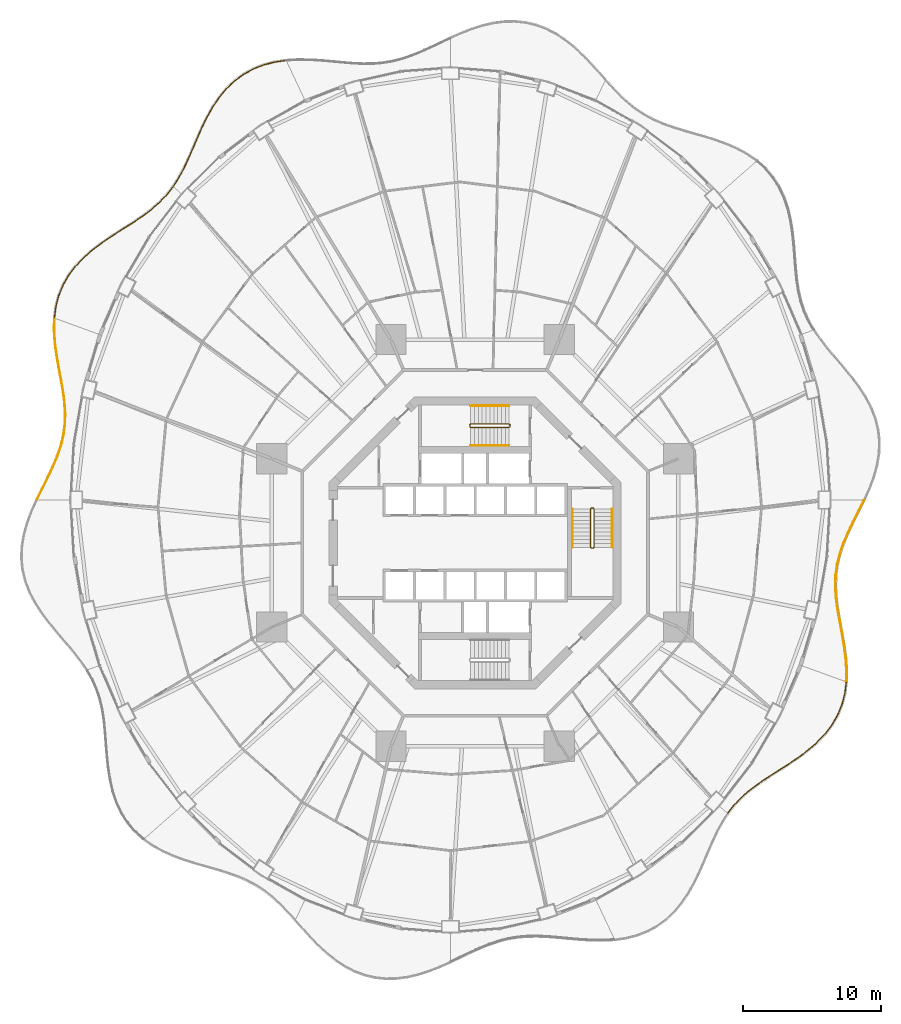
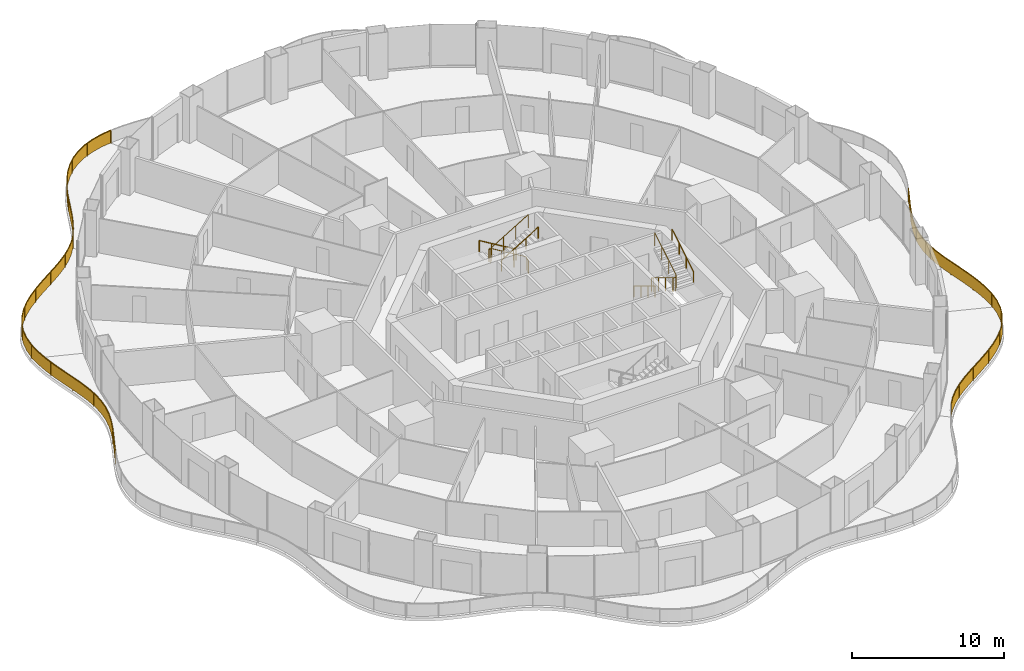
# One storey, part 21 of 22: 11 railings.
"""IFC4 building model written with IfcOpenShell, lengths in metres."""

from ifc_helpers import new_model, si_unit, direction, frame, origin, origin_2d, place, context, subcontext, project, spatial, polyline, rectangle, circle, outline, extrude, material, type_object, element, save


model = new_model("IFC4")

# Units and contexts
model_context = context("Model", 3, precision=1e-05, world=origin(), true_north=direction((0.0, 1.0)))
body_context = subcontext(model_context, "Body", "Model", "MODEL_VIEW")
ifc_project = project(units=[si_unit("LENGTHUNIT", "METRE"), si_unit("AREAUNIT", "SQUARE_METRE"), si_unit("VOLUMEUNIT", "CUBIC_METRE"), si_unit("PLANEANGLEUNIT", "RADIAN"), si_unit("MASSUNIT", "GRAM", prefix="KILO")], contexts=[model_context])

# Site, building, storey
site_placement = place(None, origin())
site = spatial("IfcSite", under=ifc_project, at=site_placement, CompositionType="ELEMENT")
building_placement = place(site_placement, origin())
building = spatial("IfcBuilding", under=site, at=building_placement, Name="Nagisa Residences", CompositionType="ELEMENT")
storey_placement = place(building_placement, frame((0.0, 0.0, 95.5)))
storey = spatial("IfcBuildingStorey", under=building, at=storey_placement, Name="L23", CompositionType="ELEMENT", Elevation=95.5)

# Railings
ifc_material_1 = material(Name="Stainless steel 316", Category="steel")
railing_type_1 = type_object("IfcRailingType", Name="BALCONY GUARD 1100", PredefinedType="BALUSTRADE", material=ifc_material_1)
railing_1_placement = place(storey_placement, frame((-13.779541015625, 35.077392578125, 0.0)))
element("IfcRailing", 1, at=railing_1_placement, inside=storey, type_object=railing_type_1, Name="guard:L23:bal05-0", PredefinedType="BALUSTRADE", context=body_context, shape_type="SweptSolid", body=[
    extrude(outline(polyline([(-0.78271484375, -0.138671875), (0.003662109375, -0.024658203125), (-0.003662109375, 0.024658203125), (-0.79248046875, -0.08935546875), (-1.598876953125, -0.2978515625), (-2.364501953125, -0.597900390625), (-3.079345703125, -0.9912109375), (-3.73486328125, -1.474853515625), (-4.318359375, -2.03515625), (-4.85107421875, -2.676025390625), (-5.32421875, -3.37548828125), (-5.744140625, -4.1171875), (-6.1201171875, -4.88427734375), (-6.452392578125, -5.648681640625), (-6.779296875, -6.415283203125), (-7.103515625, -7.159912109375), (-7.440185546875, -7.870361328125), (-7.80322265625, -8.5390625), (-8.181640625, -9.126953125), (-8.1396484375, -9.15380859375), (-7.76025390625, -8.564453125), (-7.395751953125, -7.892822265625), (-7.05810546875, -7.180419921875), (-6.7333984375, -6.435302734375), (-6.406494140625, -5.668701171875), (-6.07470703125, -4.9052734375), (-5.69970703125, -4.140625), (-5.28173828125, -3.40185546875), (-4.81103515625, -2.706298828125), (-4.28173828125, -2.0693359375), (-3.70263671875, -1.513427734375), (-3.052490234375, -1.03369140625), (-2.343017578125, -0.643310546875), (-1.583251953125, -0.345703125), (-0.78271484375, -0.138671875)])), frame((0.0, 0.0, 1.050048828125)), (0.0, 0.0, 1.0), 0.050048828125),
    extrude(outline(polyline([(-0.7861328125, -0.120849609375), (0.0009765625, -0.0068359375), (-0.0009765625, 0.0068359375), (-0.7890625, -0.107177734375), (-1.59326171875, -0.315185546875), (-2.356689453125, -0.6142578125), (-3.069580078125, -1.006591796875), (-3.723388671875, -1.48876953125), (-4.30517578125, -2.04736328125), (-4.836669921875, -2.68701171875), (-5.308837890625, -3.385009765625), (-5.72802734375, -4.125732421875), (-6.103759765625, -4.891845703125), (-6.435791015625, -5.656005859375), (-6.7626953125, -6.422607421875), (-7.087158203125, -7.167236328125), (-7.42431640625, -7.87841796875), (-7.787841796875, -8.548095703125), (-8.16650390625, -9.136474609375), (-8.15478515625, -9.144287109375), (-7.775634765625, -8.555419921875), (-7.41162109375, -7.884765625), (-7.074462890625, -7.173095703125), (-6.75, -6.427978515625), (-6.423095703125, -5.661376953125), (-6.091064453125, -4.897705078125), (-5.7158203125, -4.132080078125), (-5.297119140625, -3.392333984375), (-4.825439453125, -2.6953125), (-4.294921875, -2.05712890625), (-3.714111328125, -1.49951171875), (-3.062255859375, -1.018310546875), (-2.350830078125, -0.626953125), (-1.5888671875, -0.328369140625), (-0.7861328125, -0.120849609375)])), frame((0.0, 0.0, 0.06005859375)), (0.0, 0.0, 1.0), 0.989990234375),
    extrude(rectangle(XDim=0.0400390625, YDim=0.0400390625, at=origin_2d()), origin(), (0.0, 0.0, 1.0), 1.050048828125),
    extrude(rectangle(XDim=0.0400390625, YDim=0.0400390625, at=origin_2d()), frame((-2.091552734375, -0.517822265625, 0.0)), (0.0, 0.0, 1.0), 1.050048828125),
    extrude(rectangle(XDim=0.0400390625, YDim=0.0400390625, at=origin_2d()), frame((-3.904541015625, -1.672607421875, 0.0)), (0.0, 0.0, 1.0), 1.050048828125),
    extrude(rectangle(XDim=0.0400390625, YDim=0.0400390625, at=origin_2d()), frame((-5.2705078125, -3.3408203125, 0.0)), (0.0, 0.0, 1.0), 1.050048828125),
    extrude(rectangle(XDim=0.0400390625, YDim=0.0400390625, at=origin_2d()), frame((-6.257568359375, -5.263427734375, 0.0)), (0.0, 0.0, 1.0), 1.050048828125),
    extrude(rectangle(XDim=0.0400390625, YDim=0.0400390625, at=origin_2d()), frame((-7.117919921875, -7.248291015625, 0.0)), (0.0, 0.0, 1.0), 1.050048828125),
    extrude(rectangle(XDim=0.0400390625, YDim=0.0400390625, at=origin_2d()), frame((-8.16064453125, -9.140380859375, 0.0)), (0.0, 0.0, 1.0), 1.050048828125),
])
railing_2_placement = place(storey_placement, frame((-21.979248046875, 25.8798828125, 0.0)))
element("IfcRailing", 2, at=railing_2_placement, inside=storey, type_object=railing_type_1, Name="guard:L23:bal06-0", PredefinedType="BALUSTRADE", context=body_context, shape_type="SweptSolid", body=[
    extrude(outline(polyline([(-0.427734375, -0.587646484375), (0.019775390625, -0.015380859375), (-0.019775390625, 0.015380859375), (-0.4658203125, -0.554931640625), (-0.9951171875, -1.10986328125), (-1.583984375, -1.6240234375), (-2.228271484375, -2.108642578125), (-2.918701171875, -2.575439453125), (-3.634033203125, -3.026123046875), (-4.37353515625, -3.499755859375), (-5.108642578125, -3.996337890625), (-5.818359375, -4.527587890625), (-6.4814453125, -5.102294921875), (-7.071533203125, -5.712646484375), (-7.58544921875, -6.3876953125), (-8.003662109375, -7.11328125), (-8.31884765625, -7.885498046875), (-8.52978515625, -8.697265625), (-8.632568359375, -9.493896484375), (-8.582763671875, -9.500244140625), (-8.48046875, -8.70703125), (-8.271484375, -7.901123046875), (-7.958740234375, -7.13525390625), (-7.54345703125, -6.41552734375), (-7.033447265625, -5.745361328125), (-6.44677734375, -5.138427734375), (-5.787109375, -4.566650390625), (-5.079833984375, -4.037353515625), (-4.34619140625, -3.541748046875), (-3.607177734375, -3.068603515625), (-2.891357421875, -2.617431640625), (-2.198974609375, -2.149169921875), (-1.55224609375, -1.6630859375), (-0.96044921875, -1.14599609375), (-0.427734375, -0.587646484375)])), frame((0.0, 0.0, 1.050048828125)), (0.0, 0.0, 1.0), 0.050048828125),
    extrude(outline(polyline([(-0.44140625, -0.575927734375), (0.005615234375, -0.00439453125), (-0.005615234375, 0.00439453125), (-0.4521484375, -0.566650390625), (-0.982666015625, -1.122802734375), (-1.572509765625, -1.63818359375), (-2.2177734375, -2.123291015625), (-2.908935546875, -2.590576171875), (-3.624267578125, -3.04150390625), (-4.36376953125, -3.514892578125), (-5.098388671875, -4.01123046875), (-5.80712890625, -4.541748046875), (-6.468994140625, -5.115234375), (-7.057861328125, -5.724365234375), (-7.5703125, -6.397705078125), (-7.987548828125, -7.12109375), (-8.3017578125, -7.89111328125), (-8.511962890625, -8.700927734375), (-8.614501953125, -9.49609375), (-8.600830078125, -9.498046875), (-8.498291015625, -8.703369140625), (-8.28857421875, -7.8955078125), (-7.974853515625, -7.12744140625), (-7.55859375, -6.405517578125), (-7.047119140625, -5.733642578125), (-6.459228515625, -5.12548828125), (-5.79833984375, -4.552490234375), (-5.090087890625, -4.0224609375), (-4.35595703125, -3.526611328125), (-3.616943359375, -3.05322265625), (-2.901123046875, -2.602294921875), (-2.20947265625, -2.134521484375), (-1.563720703125, -1.64892578125), (-0.972900390625, -1.133056640625), (-0.44140625, -0.575927734375)])), frame((0.0, 0.0, 0.06005859375)), (0.0, 0.0, 1.0), 0.989990234375),
    extrude(rectangle(XDim=0.0400390625, YDim=0.0400390625, at=origin_2d()), origin(), (0.0, 0.0, 1.0), 1.050048828125),
    extrude(rectangle(XDim=0.0400390625, YDim=0.0400390625, at=origin_2d()), frame((-1.519775390625, -1.601318359375, 0.0)), (0.0, 0.0, 1.0), 1.050048828125),
    extrude(rectangle(XDim=0.0400390625, YDim=0.0400390625, at=origin_2d()), frame((-3.33447265625, -2.866943359375, 0.0)), (0.0, 0.0, 1.0), 1.050048828125),
    extrude(rectangle(XDim=0.0400390625, YDim=0.0400390625, at=origin_2d()), frame((-5.183837890625, -4.083740234375, 0.0)), (0.0, 0.0, 1.0), 1.050048828125),
    extrude(rectangle(XDim=0.0400390625, YDim=0.0400390625, at=origin_2d()), frame((-6.857177734375, -5.527099609375, 0.0)), (0.0, 0.0, 1.0), 1.050048828125),
    extrude(rectangle(XDim=0.0400390625, YDim=0.0400390625, at=origin_2d()), frame((-8.0771484375, -7.359130859375, 0.0)), (0.0, 0.0, 1.0), 1.050048828125),
    extrude(rectangle(XDim=0.0400390625, YDim=0.0400390625, at=origin_2d()), frame((-8.607666015625, -9.4970703125, 0.0)), (0.0, 0.0, 1.0), 1.050048828125),
])
railing_3_placement = place(storey_placement, frame((-30.592041015625, 16.3056640625, 0.0)))
element("IfcRailing", 3, at=railing_3_placement, inside=storey, type_object=railing_type_1, Name="guard:L23:bal07-0", PredefinedType="BALUSTRADE", context=body_context, shape_type="SweptSolid", body=[
    extrude(outline(polyline([(0.009033203125, -0.84326171875), (0.02490234375, -0.00048828125), (-0.02490234375, 0.00048828125), (-0.041259765625, -0.84423828125), (0.019775390625, -1.74755859375), (0.1396484375, -2.651611328125), (0.2939453125, -3.54736328125), (0.457275390625, -4.427001953125), (0.607421875, -5.2724609375), (0.71484375, -6.10791015625), (0.763427734375, -6.92041015625), (0.7392578125, -7.713623046875), (0.634033203125, -8.491455078125), (0.44873046875, -9.247314453125), (0.18505859375, -10.01513671875), (-0.142822265625, -10.7880859375), (-0.51708984375, -11.5712890625), (-0.91552734375, -12.369384765625), (-1.294677734375, -13.142822265625), (-1.249755859375, -13.164794921875), (-0.87060546875, -12.391357421875), (-0.47216796875, -11.59326171875), (-0.097412109375, -10.80859375), (0.23193359375, -10.033203125), (0.49658203125, -9.261474609375), (0.683349609375, -8.500732421875), (0.7890625, -7.717529296875), (0.813720703125, -6.919921875), (0.7646484375, -6.10302734375), (0.65673828125, -5.2646484375), (0.506591796875, -4.418212890625), (0.34326171875, -3.53857421875), (0.18896484375, -2.644287109375), (0.069580078125, -1.74267578125), (0.009033203125, -0.84326171875)])), frame((0.0, 0.0, 1.050048828125)), (0.0, 0.0, 1.0), 0.050048828125),
    extrude(outline(polyline([(-0.009033203125, -0.843505859375), (0.007080078125, -0.000244140625), (-0.007080078125, 0.000244140625), (-0.023193359375, -0.843994140625), (0.03759765625, -1.745849609375), (0.157470703125, -2.64892578125), (0.311767578125, -3.544189453125), (0.47509765625, -4.423828125), (0.625244140625, -5.26953125), (0.732666015625, -6.106201171875), (0.781494140625, -6.920166015625), (0.757080078125, -7.715087890625), (0.65185546875, -8.494873046875), (0.4658203125, -9.25244140625), (0.201904296875, -10.021728515625), (-0.12646484375, -10.79541015625), (-0.5009765625, -11.5791015625), (-0.8994140625, -12.377197265625), (-1.278564453125, -13.150634765625), (-1.265869140625, -13.156982421875), (-0.88671875, -12.383544921875), (-0.48828125, -11.58544921875), (-0.11376953125, -10.80126953125), (0.215087890625, -10.026611328125), (0.4794921875, -9.25634765625), (0.66552734375, -8.497314453125), (0.771240234375, -7.716064453125), (0.795654296875, -6.920166015625), (0.746826171875, -6.104736328125), (0.638916015625, -5.267578125), (0.48876953125, -4.42138671875), (0.325439453125, -3.541748046875), (0.171142578125, -2.64697265625), (0.0517578125, -1.744384765625), (-0.009033203125, -0.843505859375)])), frame((0.0, 0.0, 0.06005859375)), (0.0, 0.0, 1.0), 0.989990234375),
    extrude(rectangle(XDim=0.0400390625, YDim=0.0400390625, at=origin_2d()), origin(), (0.0, 0.0, 1.0), 1.050048828125),
    extrude(rectangle(XDim=0.0400390625, YDim=0.0400390625, at=origin_2d()), frame((0.11328125, -2.263427734375, 0.0)), (0.0, 0.0, 1.0), 1.050048828125),
    extrude(rectangle(XDim=0.0400390625, YDim=0.0400390625, at=origin_2d()), frame((0.495849609375, -4.5009765625, 0.0)), (0.0, 0.0, 1.0), 1.050048828125),
    extrude(rectangle(XDim=0.0400390625, YDim=0.0400390625, at=origin_2d()), frame((0.7783203125, -6.7509765625, 0.0)), (0.0, 0.0, 1.0), 1.050048828125),
    extrude(rectangle(XDim=0.0400390625, YDim=0.0400390625, at=origin_2d()), frame((0.535400390625, -8.99853515625, 0.0)), (0.0, 0.0, 1.0), 1.050048828125),
    extrude(rectangle(XDim=0.0400390625, YDim=0.0400390625, at=origin_2d()), frame((-0.271728515625, -11.115966796875, 0.0)), (0.0, 0.0, 1.0), 1.050048828125),
    extrude(rectangle(XDim=0.0400390625, YDim=0.0400390625, at=origin_2d()), frame((-1.272216796875, -13.15380859375, 0.0)), (0.0, 0.0, 1.0), 1.050048828125),
])
railing_4_placement = place(storey_placement, frame((18.37939453125, -19.64453125, 0.0)))
element("IfcRailing", 4, at=railing_4_placement, inside=storey, type_object=railing_type_1, Name="guard:L23:bal14-0", PredefinedType="BALUSTRADE", context=body_context, shape_type="SweptSolid", body=[
    extrude(outline(polyline([(0.427734375, 0.587646484375), (-0.019775390625, 0.015380859375), (0.019775390625, -0.015380859375), (0.4658203125, 0.554931640625), (0.9951171875, 1.10986328125), (1.583740234375, 1.6240234375), (2.22802734375, 2.10888671875), (2.91845703125, 2.575439453125), (3.634033203125, 3.0263671875), (4.373291015625, 3.499755859375), (5.1083984375, 3.996337890625), (5.818115234375, 4.527587890625), (6.481201171875, 5.102294921875), (7.0712890625, 5.712646484375), (7.585205078125, 6.3876953125), (8.00341796875, 7.11328125), (8.31884765625, 7.885498046875), (8.529541015625, 8.697509765625), (8.63232421875, 9.493896484375), (8.58251953125, 9.500244140625), (8.480224609375, 8.706787109375), (8.271484375, 7.901123046875), (7.95849609375, 7.13525390625), (7.543212890625, 6.41552734375), (7.033203125, 5.745361328125), (6.446533203125, 5.138427734375), (5.786865234375, 4.566650390625), (5.07958984375, 4.037353515625), (4.345947265625, 3.541748046875), (3.607177734375, 3.06884765625), (2.89111328125, 2.617431640625), (2.19873046875, 2.1494140625), (1.552001953125, 1.6630859375), (0.96044921875, 1.14599609375), (0.427734375, 0.587646484375)])), frame((0.0, 0.0, 1.050048828125)), (0.0, 0.0, 1.0), 0.050048828125),
    extrude(outline(polyline([(0.44140625, 0.575927734375), (-0.005615234375, 0.00439453125), (0.005615234375, -0.00439453125), (0.4521484375, 0.566650390625), (0.982666015625, 1.122802734375), (1.572265625, 1.63818359375), (2.217529296875, 2.12353515625), (2.90869140625, 2.590576171875), (3.624267578125, 3.041748046875), (4.363525390625, 3.514892578125), (5.09814453125, 4.01123046875), (5.806884765625, 4.541748046875), (6.46875, 5.115234375), (7.0576171875, 5.724365234375), (7.570068359375, 6.397705078125), (7.9873046875, 7.12109375), (8.3017578125, 7.89111328125), (8.51171875, 8.700927734375), (8.6142578125, 9.49609375), (8.6005859375, 9.498046875), (8.498046875, 8.703369140625), (8.28857421875, 7.8955078125), (7.974609375, 7.12744140625), (7.558349609375, 6.405517578125), (7.046875, 5.733642578125), (6.458984375, 5.12548828125), (5.798095703125, 4.552490234375), (5.08984375, 4.0224609375), (4.355712890625, 3.526611328125), (3.616943359375, 3.053466796875), (2.90087890625, 2.602294921875), (2.209228515625, 2.134765625), (1.5634765625, 1.64892578125), (0.972900390625, 1.133056640625), (0.44140625, 0.575927734375)])), frame((0.0, 0.0, 0.06005859375)), (0.0, 0.0, 1.0), 0.989990234375),
    extrude(rectangle(XDim=0.0400390625, YDim=0.0400390625, at=origin_2d()), origin(), (0.0, 0.0, 1.0), 1.050048828125),
    extrude(rectangle(XDim=0.0400390625, YDim=0.0400390625, at=origin_2d()), frame((1.51953125, 1.601318359375, 0.0)), (0.0, 0.0, 1.0), 1.050048828125),
    extrude(rectangle(XDim=0.0400390625, YDim=0.0400390625, at=origin_2d()), frame((3.334228515625, 2.8671875, 0.0)), (0.0, 0.0, 1.0), 1.050048828125),
    extrude(rectangle(XDim=0.0400390625, YDim=0.0400390625, at=origin_2d()), frame((5.18359375, 4.083984375, 0.0)), (0.0, 0.0, 1.0), 1.050048828125),
    extrude(rectangle(XDim=0.0400390625, YDim=0.0400390625, at=origin_2d()), frame((6.857177734375, 5.527099609375, 0.0)), (0.0, 0.0, 1.0), 1.050048828125),
    extrude(rectangle(XDim=0.0400390625, YDim=0.0400390625, at=origin_2d()), frame((8.076904296875, 7.359130859375, 0.0)), (0.0, 0.0, 1.0), 1.050048828125),
    extrude(rectangle(XDim=0.0400390625, YDim=0.0400390625, at=origin_2d()), frame((8.607421875, 9.4970703125, 0.0)), (0.0, 0.0, 1.0), 1.050048828125),
])
railing_5_placement = place(storey_placement, frame((26.991943359375, -10.0703125, 0.0)))
element("IfcRailing", 5, at=railing_5_placement, inside=storey, type_object=railing_type_1, Name="guard:L23:bal15-0", PredefinedType="BALUSTRADE", context=body_context, shape_type="SweptSolid", body=[
    extrude(outline(polyline([(-0.0087890625, 0.84326171875), (-0.02490234375, 0.00048828125), (0.02490234375, -0.00048828125), (0.04150390625, 0.84423828125), (-0.019775390625, 1.747802734375), (-0.1396484375, 2.65185546875), (-0.2939453125, 3.54736328125), (-0.457275390625, 4.427001953125), (-0.607421875, 5.2724609375), (-0.71484375, 6.10791015625), (-0.76318359375, 6.92041015625), (-0.7392578125, 7.713623046875), (-0.634033203125, 8.49169921875), (-0.448486328125, 9.247314453125), (-0.184814453125, 10.01513671875), (0.142822265625, 10.7880859375), (0.517333984375, 11.5712890625), (0.915771484375, 12.369384765625), (1.294921875, 13.142822265625), (1.25, 13.164794921875), (0.870849609375, 12.391357421875), (0.472412109375, 11.59326171875), (0.097412109375, 10.80859375), (-0.231689453125, 10.033203125), (-0.496337890625, 9.261474609375), (-0.683349609375, 8.5009765625), (-0.7890625, 7.717529296875), (-0.8134765625, 6.919921875), (-0.7646484375, 6.10302734375), (-0.65673828125, 5.2646484375), (-0.506591796875, 4.418212890625), (-0.34326171875, 3.53857421875), (-0.18896484375, 2.64453125), (-0.069580078125, 1.742919921875), (-0.0087890625, 0.84326171875)])), frame((0.0, 0.0, 1.050048828125)), (0.0, 0.0, 1.0), 0.050048828125),
    extrude(outline(polyline([(0.00927734375, 0.843505859375), (-0.007080078125, 0.000244140625), (0.007080078125, -0.000244140625), (0.0234375, 0.843994140625), (-0.03759765625, 1.74609375), (-0.157470703125, 2.649169921875), (-0.311767578125, 3.544189453125), (-0.47509765625, 4.423828125), (-0.625244140625, 5.26953125), (-0.732666015625, 6.106201171875), (-0.78125, 6.920166015625), (-0.757080078125, 7.715087890625), (-0.65185546875, 8.4951171875), (-0.465576171875, 9.25244140625), (-0.20166015625, 10.021728515625), (0.12646484375, 10.79541015625), (0.501220703125, 11.5791015625), (0.899658203125, 12.377197265625), (1.27880859375, 13.150634765625), (1.26611328125, 13.156982421875), (0.886962890625, 12.383544921875), (0.488525390625, 11.58544921875), (0.11376953125, 10.80126953125), (-0.21484375, 10.026611328125), (-0.479248046875, 9.25634765625), (-0.66552734375, 8.49755859375), (-0.771240234375, 7.716064453125), (-0.79541015625, 6.920166015625), (-0.746826171875, 6.104736328125), (-0.638916015625, 5.267578125), (-0.48876953125, 4.42138671875), (-0.325439453125, 3.541748046875), (-0.171142578125, 2.647216796875), (-0.0517578125, 1.74462890625), (0.00927734375, 0.843505859375)])), frame((0.0, 0.0, 0.06005859375)), (0.0, 0.0, 1.0), 0.989990234375),
    extrude(rectangle(XDim=0.0400390625, YDim=0.0400390625, at=origin_2d()), origin(), (0.0, 0.0, 1.0), 1.050048828125),
    extrude(rectangle(XDim=0.0400390625, YDim=0.0400390625, at=origin_2d()), frame((-0.11328125, 2.263427734375, 0.0)), (0.0, 0.0, 1.0), 1.050048828125),
    extrude(rectangle(XDim=0.0400390625, YDim=0.0400390625, at=origin_2d()), frame((-0.495849609375, 4.5009765625, 0.0)), (0.0, 0.0, 1.0), 1.050048828125),
    extrude(rectangle(XDim=0.0400390625, YDim=0.0400390625, at=origin_2d()), frame((-0.7783203125, 6.7509765625, 0.0)), (0.0, 0.0, 1.0), 1.050048828125),
    extrude(rectangle(XDim=0.0400390625, YDim=0.0400390625, at=origin_2d()), frame((-0.53515625, 8.99853515625, 0.0)), (0.0, 0.0, 1.0), 1.050048828125),
    extrude(rectangle(XDim=0.0400390625, YDim=0.0400390625, at=origin_2d()), frame((0.27197265625, 11.115966796875, 0.0)), (0.0, 0.0, 1.0), 1.050048828125),
    extrude(rectangle(XDim=0.0400390625, YDim=0.0400390625, at=origin_2d()), frame((1.2724609375, 13.15380859375, 0.0)), (0.0, 0.0, 1.0), 1.050048828125),
])
ifc_material_2 = material(Name="Stainless steel", Category="steel")
railing_type_2 = type_object("IfcRailingType", Name="Stair guard 1100", PredefinedType="GUARDRAIL", material=ifc_material_2)
railing_6_placement = place(storey_placement, frame((8.599609375, 2.52490234375, 0.0)))
element("IfcRailing", 6, at=railing_6_placement, inside=storey, type_object=railing_type_2, Name="L23 ST-E stair guard 1", PredefinedType="GUARDRAIL", context=body_context, shape_type="SweptSolid", body=[
    extrude(circle(Radius=0.02392578125, at=origin_2d()), frame((0.0, 0.0, 1.076171875), z_axis=(-1.0, 0.0, 0.0), x_axis=(0.0, -1.0, 0.0)), (0.0, 0.0, 1.0), 0.14990234375),
    extrude(circle(Radius=0.02392578125, at=origin_2d()), frame((-0.14990234375, 0.0, 1.076171875), z_axis=(-0.27434429532, -0.273006030465, 0.922064485248), x_axis=(0.705375805398, -0.708833529934, 0.0)), (0.0, 0.0, 1.0), 0.182373046875),
    extrude(circle(Radius=0.02392578125, at=origin_2d()), frame((-0.199951171875, -0.0498046875, 1.244140625), z_axis=(0.0, -0.857242210791, 0.514913383045), x_axis=(1.0, 0.0, 0.0)), (0.0, 0.0, 1.0), 3.266357421875),
    extrude(circle(Radius=0.02392578125, at=origin_2d()), frame((-0.199951171875, -2.849853515625, 2.92626953125), z_axis=(0.707106781187, -0.707106781187, 0.0), x_axis=(0.707106781187, 0.707106781187, 0.0)), (0.0, 0.0, 1.0), 0.07080078125),
    extrude(circle(Radius=0.02392578125, at=origin_2d()), frame((-0.14990234375, -2.89990234375, 2.92626953125), z_axis=(1.0, 0.0, 0.0), x_axis=(0.0, 1.0, 0.0)), (0.0, 0.0, 1.0), 0.14990234375),
    extrude(circle(Radius=0.02392578125, at=origin_2d()), frame((0.0, -2.89990234375, 2.92626953125), z_axis=(0.274582412415, 0.274582412415, 0.921525364591), x_axis=(-0.707106781187, 0.707106781187, 0.0)), (0.0, 0.0, 1.0), 0.182373046875),
    extrude(circle(Radius=0.02392578125, at=origin_2d()), frame((0.050048828125, -2.849853515625, 3.09423828125), z_axis=(0.0, 0.857242210791, 0.514913383045), x_axis=(-1.0, 0.0, 0.0)), (0.0, 0.0, 1.0), 3.266357421875),
    extrude(circle(Radius=0.02099609375, at=origin_2d()), origin(), (0.0, 0.0, 1.0), 1.052001953125),
    extrude(circle(Radius=0.02099609375, at=origin_2d()), frame((-0.14990234375, 0.0, 0.0)), (0.0, 0.0, 1.0), 1.052001953125),
    extrude(circle(Radius=0.02099609375, at=origin_2d()), frame((-0.199951171875, -0.0498046875, 0.168212890625)), (0.0, 0.0, 1.0), 1.052001953125),
    extrude(circle(Radius=0.02099609375, at=origin_2d()), frame((-0.199951171875, -0.983154296875, 0.728759765625)), (0.0, 0.0, 1.0), 1.052001953125),
    extrude(circle(Radius=0.02099609375, at=origin_2d()), frame((-0.199951171875, -1.91650390625, 1.28955078125)), (0.0, 0.0, 1.0), 1.052001953125),
    extrude(circle(Radius=0.02099609375, at=origin_2d()), frame((-0.199951171875, -2.849853515625, 1.85009765625)), (0.0, 0.0, 1.0), 1.052001953125),
    extrude(circle(Radius=0.02099609375, at=origin_2d()), frame((-0.14990234375, -2.89990234375, 1.85009765625)), (0.0, 0.0, 1.0), 1.052001953125),
    extrude(circle(Radius=0.02099609375, at=origin_2d()), frame((0.0, -2.89990234375, 1.85009765625)), (0.0, 0.0, 1.0), 1.052001953125),
    extrude(circle(Radius=0.02099609375, at=origin_2d()), frame((0.050048828125, -2.849853515625, 2.01806640625)), (0.0, 0.0, 1.0), 1.052001953125),
    extrude(circle(Radius=0.02099609375, at=origin_2d()), frame((0.050048828125, -1.91650390625, 2.57861328125)), (0.0, 0.0, 1.0), 1.052001953125),
    extrude(circle(Radius=0.02099609375, at=origin_2d()), frame((0.050048828125, -0.983154296875, 3.139404296875)), (0.0, 0.0, 1.0), 1.052001953125),
    extrude(circle(Radius=0.02099609375, at=origin_2d()), frame((0.050048828125, -0.0498046875, 3.699951171875)), (0.0, 0.0, 1.0), 1.052001953125),
])
railing_7_placement = place(storey_placement, frame((2.52490234375, 8.44970703125, 0.0)))
element("IfcRailing", 7, at=railing_7_placement, inside=storey, type_object=railing_type_2, Name="L23 ST-N stair guard 1", PredefinedType="GUARDRAIL", context=body_context, shape_type="SweptSolid", body=[
    extrude(circle(Radius=0.02392578125, at=origin_2d()), frame((0.0, 0.0, 1.076171875), z_axis=(0.0, 1.0, 0.0), x_axis=(-1.0, 0.0, 0.0)), (0.0, 0.0, 1.0), 0.14990234375),
    extrude(circle(Radius=0.02392578125, at=origin_2d()), frame((0.0, 0.14990234375, 1.076171875), z_axis=(-0.273006030465, 0.27434429532, 0.922064485248), x_axis=(-0.708833529934, -0.705375805398, 0.0)), (0.0, 0.0, 1.0), 0.182373046875),
    extrude(circle(Radius=0.02392578125, at=origin_2d()), frame((-0.0498046875, 0.199951171875, 1.244140625), z_axis=(-0.857242210791, 0.0, 0.514913383045), x_axis=(0.0, -1.0, 0.0)), (0.0, 0.0, 1.0), 3.266357421875),
    extrude(circle(Radius=0.02392578125, at=origin_2d()), frame((-2.849853515625, 0.199951171875, 2.92626953125), z_axis=(-0.707106781187, -0.707106781187, 0.0), x_axis=(0.707106781187, -0.707106781187, 0.0)), (0.0, 0.0, 1.0), 0.07080078125),
    extrude(circle(Radius=0.02392578125, at=origin_2d()), frame((-2.89990234375, 0.14990234375, 2.92626953125), z_axis=(0.0, -1.0, 0.0), x_axis=(1.0, 0.0, 0.0)), (0.0, 0.0, 1.0), 0.14990234375),
    extrude(circle(Radius=0.02392578125, at=origin_2d()), frame((-2.89990234375, 0.0, 2.92626953125), z_axis=(0.274582412415, -0.274582412415, 0.921525364591), x_axis=(0.707106781187, 0.707106781187, 0.0)), (0.0, 0.0, 1.0), 0.182373046875),
    extrude(circle(Radius=0.02392578125, at=origin_2d()), frame((-2.849853515625, -0.050048828125, 3.09423828125), z_axis=(0.857242210791, 0.0, 0.514913383045), x_axis=(0.0, 1.0, 0.0)), (0.0, 0.0, 1.0), 3.266357421875),
    extrude(circle(Radius=0.02099609375, at=origin_2d()), origin(), (0.0, 0.0, 1.0), 1.052001953125),
    extrude(circle(Radius=0.02099609375, at=origin_2d()), frame((0.0, 0.14990234375, 0.0)), (0.0, 0.0, 1.0), 1.052001953125),
    extrude(circle(Radius=0.02099609375, at=origin_2d()), frame((-0.0498046875, 0.199951171875, 0.168212890625)), (0.0, 0.0, 1.0), 1.052001953125),
    extrude(circle(Radius=0.02099609375, at=origin_2d()), frame((-0.983154296875, 0.199951171875, 0.728759765625)), (0.0, 0.0, 1.0), 1.052001953125),
    extrude(circle(Radius=0.02099609375, at=origin_2d()), frame((-1.91650390625, 0.199951171875, 1.28955078125)), (0.0, 0.0, 1.0), 1.052001953125),
    extrude(circle(Radius=0.02099609375, at=origin_2d()), frame((-2.849853515625, 0.199951171875, 1.85009765625)), (0.0, 0.0, 1.0), 1.052001953125),
    extrude(circle(Radius=0.02099609375, at=origin_2d()), frame((-2.89990234375, 0.14990234375, 1.85009765625)), (0.0, 0.0, 1.0), 1.052001953125),
    extrude(circle(Radius=0.02099609375, at=origin_2d()), frame((-2.89990234375, 0.0, 1.85009765625)), (0.0, 0.0, 1.0), 1.052001953125),
    extrude(circle(Radius=0.02099609375, at=origin_2d()), frame((-2.849853515625, -0.050048828125, 2.01806640625)), (0.0, 0.0, 1.0), 1.052001953125),
    extrude(circle(Radius=0.02099609375, at=origin_2d()), frame((-1.91650390625, -0.050048828125, 2.57861328125)), (0.0, 0.0, 1.0), 1.052001953125),
    extrude(circle(Radius=0.02099609375, at=origin_2d()), frame((-0.983154296875, -0.050048828125, 3.139404296875)), (0.0, 0.0, 1.0), 1.052001953125),
    extrude(circle(Radius=0.02099609375, at=origin_2d()), frame((-0.0498046875, -0.050048828125, 3.699951171875)), (0.0, 0.0, 1.0), 1.052001953125),
])
ifc_material_3 = material(Name="Stainless steel", Category="steel")
railing_type_3 = type_object("IfcRailingType", Name="Stair handrail 900", PredefinedType="HANDRAIL", material=ifc_material_3)
railing_8_placement = place(storey_placement, frame((7.07470703125, 2.47509765625, 0.168212890625)))
element("IfcRailing", 8, at=railing_8_placement, inside=storey, type_object=railing_type_3, Name="L23 ST-E stair handrail 1", PredefinedType="HANDRAIL", context=body_context, shape_type="SweptSolid", body=[
    extrude(circle(Radius=0.02392578125, at=origin_2d()), frame((0.0, 0.0, 0.8759765625), z_axis=(0.0, -0.857242210791, 0.514913383045), x_axis=(1.0, 0.0, 0.0)), (0.0, 0.0, 1.0), 3.266357421875),
    extrude(circle(Radius=0.02099609375, at=origin_2d()), origin(), (0.0, 0.0, 1.0), 0.851806640625),
    extrude(circle(Radius=0.02099609375, at=origin_2d()), frame((0.0, -0.933349609375, 0.560546875)), (0.0, 0.0, 1.0), 0.851806640625),
    extrude(circle(Radius=0.02099609375, at=origin_2d()), frame((0.0, -1.86669921875, 1.121337890625)), (0.0, 0.0, 1.0), 0.851806640625),
    extrude(circle(Radius=0.02099609375, at=origin_2d()), frame((0.0, -2.800048828125, 1.681884765625)), (0.0, 0.0, 1.0), 0.851806640625),
])
railing_9_placement = place(storey_placement, frame((9.974609375, -0.324951171875, 2.01806640625)))
element("IfcRailing", 9, at=railing_9_placement, inside=storey, type_object=railing_type_3, Name="L23 ST-E stair handrail 2", PredefinedType="HANDRAIL", context=body_context, shape_type="SweptSolid", body=[
    extrude(circle(Radius=0.02392578125, at=origin_2d()), frame((0.0, 0.0, 0.8759765625), z_axis=(0.0, 0.857242210791, 0.514913383045), x_axis=(-1.0, 0.0, 0.0)), (0.0, 0.0, 1.0), 3.266357421875),
    extrude(circle(Radius=0.02099609375, at=origin_2d()), origin(), (0.0, 0.0, 1.0), 0.851806640625),
    extrude(circle(Radius=0.02099609375, at=origin_2d()), frame((0.0, 0.933349609375, 0.560546875)), (0.0, 0.0, 1.0), 0.851806640625),
    extrude(circle(Radius=0.02099609375, at=origin_2d()), frame((0.0, 1.86669921875, 1.121337890625)), (0.0, 0.0, 1.0), 0.851806640625),
    extrude(circle(Radius=0.02099609375, at=origin_2d()), frame((0.0, 2.800048828125, 1.681884765625)), (0.0, 0.0, 1.0), 0.851806640625),
])
railing_10_placement = place(storey_placement, frame((2.47509765625, 9.974609375, 0.168212890625)))
element("IfcRailing", 10, at=railing_10_placement, inside=storey, type_object=railing_type_3, Name="L23 ST-N stair handrail 1", PredefinedType="HANDRAIL", context=body_context, shape_type="SweptSolid", body=[
    extrude(circle(Radius=0.02392578125, at=origin_2d()), frame((0.0, 0.0, 0.8759765625), z_axis=(-0.857242210791, 0.0, 0.514913383045), x_axis=(0.0, -1.0, 0.0)), (0.0, 0.0, 1.0), 3.266357421875),
    extrude(circle(Radius=0.02099609375, at=origin_2d()), origin(), (0.0, 0.0, 1.0), 0.851806640625),
    extrude(circle(Radius=0.02099609375, at=origin_2d()), frame((-0.933349609375, 0.0, 0.560546875)), (0.0, 0.0, 1.0), 0.851806640625),
    extrude(circle(Radius=0.02099609375, at=origin_2d()), frame((-1.86669921875, 0.0, 1.121337890625)), (0.0, 0.0, 1.0), 0.851806640625),
    extrude(circle(Radius=0.02099609375, at=origin_2d()), frame((-2.800048828125, 0.0, 1.681884765625)), (0.0, 0.0, 1.0), 0.851806640625),
])
railing_11_placement = place(storey_placement, frame((-0.324951171875, 7.07470703125, 2.01806640625)))
element("IfcRailing", 11, at=railing_11_placement, inside=storey, type_object=railing_type_3, Name="L23 ST-N stair handrail 2", PredefinedType="HANDRAIL", context=body_context, shape_type="SweptSolid", body=[
    extrude(circle(Radius=0.02392578125, at=origin_2d()), frame((0.0, 0.0, 0.8759765625), z_axis=(0.857242210791, 0.0, 0.514913383045), x_axis=(0.0, 1.0, 0.0)), (0.0, 0.0, 1.0), 3.266357421875),
    extrude(circle(Radius=0.02099609375, at=origin_2d()), origin(), (0.0, 0.0, 1.0), 0.851806640625),
    extrude(circle(Radius=0.02099609375, at=origin_2d()), frame((0.933349609375, 0.0, 0.560546875)), (0.0, 0.0, 1.0), 0.851806640625),
    extrude(circle(Radius=0.02099609375, at=origin_2d()), frame((1.86669921875, 0.0, 1.121337890625)), (0.0, 0.0, 1.0), 0.851806640625),
    extrude(circle(Radius=0.02099609375, at=origin_2d()), frame((2.800048828125, 0.0, 1.681884765625)), (0.0, 0.0, 1.0), 0.851806640625),
])

save(model, "model.ifc")
